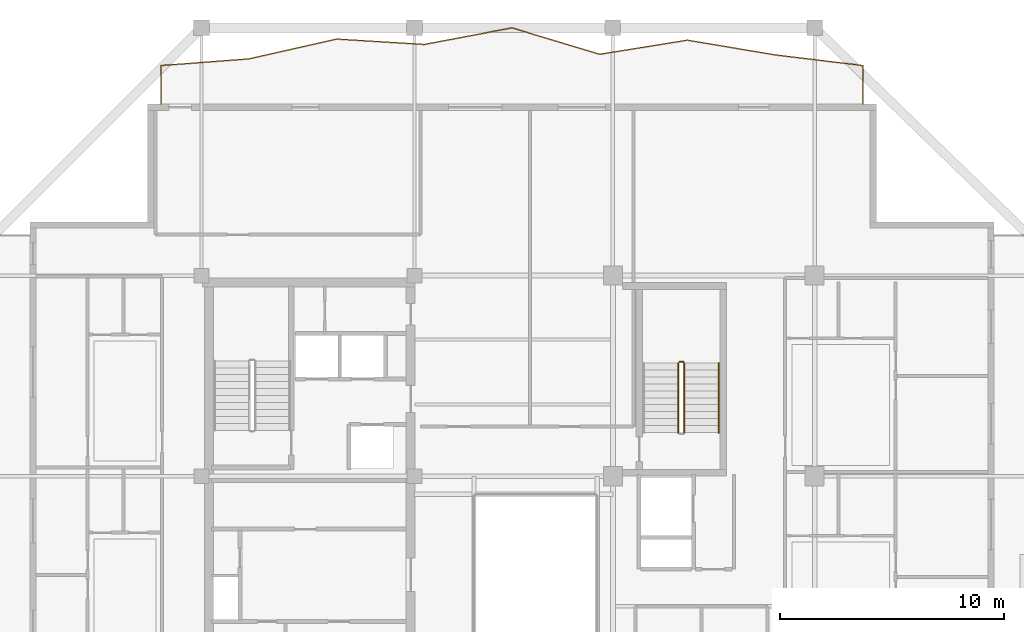
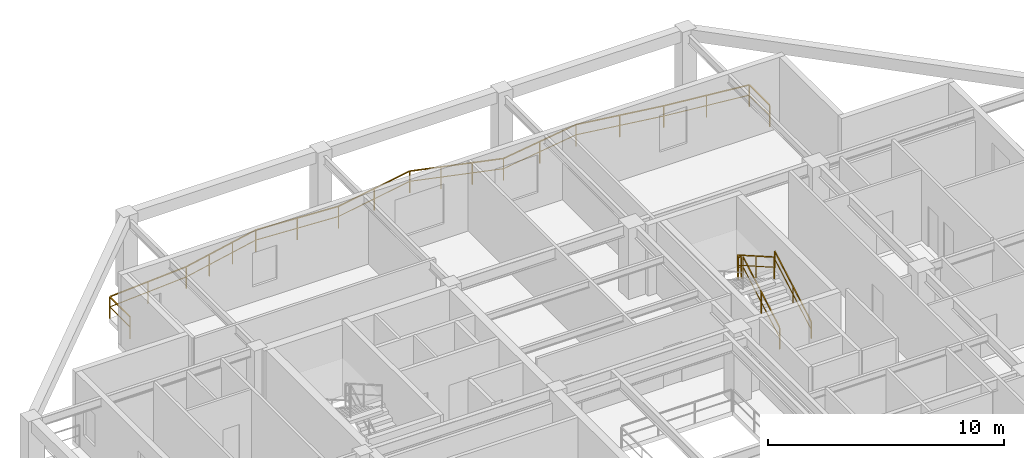
# One storey, part 12 of 13: 5 railings.
"""IFC4 building model written with IfcOpenShell, lengths in metres."""

from ifc_helpers import new_model, si_unit, direction, frame, origin, origin_2d, place, context, subcontext, project, spatial, rectangle, extrude, material, type_object, element, save


model = new_model("IFC4")

# Units and contexts
model_context = context("Model", 3, precision=1e-05, world=origin(), true_north=direction((0.0, 1.0)))
body_context = subcontext(model_context, "Body", "Model", "MODEL_VIEW")
ifc_project = project(units=[si_unit("LENGTHUNIT", "METRE"), si_unit("AREAUNIT", "SQUARE_METRE"), si_unit("VOLUMEUNIT", "CUBIC_METRE"), si_unit("PLANEANGLEUNIT", "RADIAN"), si_unit("MASSUNIT", "GRAM", prefix="KILO")], contexts=[model_context])

# Site, building, storey
site_placement = place(None, origin())
site = spatial("IfcSite", under=ifc_project, at=site_placement, CompositionType="ELEMENT")
building_placement = place(site_placement, origin())
building = spatial("IfcBuilding", under=site, at=building_placement, Name="Kundavana Baori Tower", CompositionType="ELEMENT")
storey_placement = place(building_placement, frame((0.0, 0.0, 229.699951171875)))
storey = spatial("IfcBuildingStorey", under=building, at=storey_placement, Name="L56", CompositionType="ELEMENT", Elevation=229.699951171875)

# Railings
ifc_material_1 = material(Name="Architectural Patinated Bronze Metalwork")
railing_type_1 = type_object("IfcRailingType", Name="RL-BAL-1150", PredefinedType="BALUSTRADE", material=ifc_material_1)
railing_1_placement = place(storey_placement, frame((13.64990234375, 49.60009765625, 0.0)))
element("IfcRailing", 1, at=railing_1_placement, inside=storey, type_object=railing_type_1, Name="L56 Loggia Balcony Balustrade N", PredefinedType="BALUSTRADE", context=body_context, shape_type="SweptSolid", body=[
    extrude(rectangle(XDim=0.048095703125, YDim=0.048095703125, at=origin_2d()), frame((0.0, 0.0, 1.1259765625), z_axis=(0.0, 1.0, 0.0), x_axis=(-1.0, 0.0, 0.0)), (0.0, 0.0, 1.0), 1.719970703125),
    extrude(rectangle(XDim=0.03125, YDim=0.03125, at=origin_2d()), frame((0.0, 0.0, 0.597900390625), z_axis=(0.0, 1.0, 0.0), x_axis=(-1.0, 0.0, 0.0)), (0.0, 0.0, 1.0), 1.719970703125),
    extrude(rectangle(XDim=0.048095703125, YDim=0.048095703125, at=origin_2d()), frame((0.0, 1.719970703125, 1.1259765625), z_axis=(0.997114210173, 0.075916084399, 0.0), x_axis=(-0.075916084399, 0.997114210173, 0.0)), (0.0, 0.0, 1.0), 3.92333984375),
    extrude(rectangle(XDim=0.03125, YDim=0.03125, at=origin_2d()), frame((0.0, 1.719970703125, 0.597900390625), z_axis=(0.997114210173, 0.075916084399, 0.0), x_axis=(-0.075916084399, 0.997114210173, 0.0)), (0.0, 0.0, 1.0), 3.92333984375),
    extrude(rectangle(XDim=0.048095703125, YDim=0.048095703125, at=origin_2d()), frame((3.912109375, 2.017822265625, 1.1259765625), z_axis=(0.975417798649, 0.220363604249, 0.0), x_axis=(-0.220363604249, 0.975417798649, 0.0)), (0.0, 0.0, 1.0), 4.01171875),
    extrude(rectangle(XDim=0.03125, YDim=0.03125, at=origin_2d()), frame((3.912109375, 2.017822265625, 0.597900390625), z_axis=(0.975417798649, 0.220363604249, 0.0), x_axis=(-0.220363604249, 0.975417798649, 0.0)), (0.0, 0.0, 1.0), 4.01171875),
    extrude(rectangle(XDim=0.048095703125, YDim=0.048095703125, at=origin_2d()), frame((7.8251953125, 2.90185546875, 1.1259765625), z_axis=(0.998124360554, -0.061218958409, 0.0), x_axis=(0.061218958409, 0.998124360554, 0.0)), (0.0, 0.0, 1.0), 3.920166015625),
    extrude(rectangle(XDim=0.03125, YDim=0.03125, at=origin_2d()), frame((7.8251953125, 2.90185546875, 0.597900390625), z_axis=(0.998124360554, -0.061218958409, 0.0), x_axis=(0.061218958409, 0.998124360554, 0.0)), (0.0, 0.0, 1.0), 3.920166015625),
    extrude(rectangle(XDim=0.048095703125, YDim=0.048095703125, at=origin_2d()), frame((11.738037109375, 2.661865234375, 1.1259765625), z_axis=(0.982666080479, 0.185384395987, 0.0), x_axis=(-0.185384395987, 0.982666080479, 0.0)), (0.0, 0.0, 1.0), 3.981201171875),
    extrude(rectangle(XDim=0.03125, YDim=0.03125, at=origin_2d()), frame((11.738037109375, 2.661865234375, 0.597900390625), z_axis=(0.982666080479, 0.185384395987, 0.0), x_axis=(-0.185384395987, 0.982666080479, 0.0)), (0.0, 0.0, 1.0), 3.981201171875),
    extrude(rectangle(XDim=0.048095703125, YDim=0.048095703125, at=origin_2d()), frame((15.650146484375, 3.39990234375, 1.1259765625), z_axis=(0.957613884145, -0.288054940754, 0.0), x_axis=(0.288054940754, 0.957613884145, 0.0)), (0.0, 0.0, 1.0), 4.0859375),
    extrude(rectangle(XDim=0.03125, YDim=0.03125, at=origin_2d()), frame((15.650146484375, 3.39990234375, 0.597900390625), z_axis=(0.957613884145, -0.288054940754, 0.0), x_axis=(0.288054940754, 0.957613884145, 0.0)), (0.0, 0.0, 1.0), 4.0859375),
    extrude(rectangle(XDim=0.048095703125, YDim=0.048095703125, at=origin_2d()), frame((19.56298828125, 2.222900390625, 1.1259765625), z_axis=(0.987236433937, 0.159261494117, 0.0), x_axis=(-0.159261494117, 0.987236433937, 0.0)), (0.0, 0.0, 1.0), 3.962646484375),
    extrude(rectangle(XDim=0.03125, YDim=0.03125, at=origin_2d()), frame((19.56298828125, 2.222900390625, 0.597900390625), z_axis=(0.987236433937, 0.159261494117, 0.0), x_axis=(-0.159261494117, 0.987236433937, 0.0)), (0.0, 0.0, 1.0), 3.962646484375),
    extrude(rectangle(XDim=0.048095703125, YDim=0.048095703125, at=origin_2d()), frame((23.47509765625, 2.85400390625, 1.1259765625), z_axis=(0.986146712574, -0.16587543905, 0.0), x_axis=(0.16587543905, 0.986146712574, 0.0)), (0.0, 0.0, 1.0), 3.968017578125),
    extrude(rectangle(XDim=0.03125, YDim=0.03125, at=origin_2d()), frame((23.47509765625, 2.85400390625, 0.597900390625), z_axis=(0.986146712574, -0.16587543905, 0.0), x_axis=(0.16587543905, 0.986146712574, 0.0)), (0.0, 0.0, 1.0), 3.968017578125),
    extrude(rectangle(XDim=0.048095703125, YDim=0.048095703125, at=origin_2d()), frame((27.38818359375, 2.19580078125, 1.1259765625), z_axis=(0.992683234767, -0.120747651786, 0.0), x_axis=(0.120747651786, 0.992683234767, 0.0)), (0.0, 0.0, 1.0), 3.940673828125),
    extrude(rectangle(XDim=0.03125, YDim=0.03125, at=origin_2d()), frame((27.38818359375, 2.19580078125, 0.597900390625), z_axis=(0.992683234767, -0.120747651786, 0.0), x_axis=(0.120747651786, 0.992683234767, 0.0)), (0.0, 0.0, 1.0), 3.940673828125),
    extrude(rectangle(XDim=0.048095703125, YDim=0.048095703125, at=origin_2d()), frame((31.300048828125, 1.719970703125, 1.1259765625), z_axis=(0.0, -1.0, 0.0), x_axis=(1.0, 0.0, 0.0)), (0.0, 0.0, 1.0), 1.719970703125),
    extrude(rectangle(XDim=0.03125, YDim=0.03125, at=origin_2d()), frame((31.300048828125, 1.719970703125, 0.597900390625), z_axis=(0.0, -1.0, 0.0), x_axis=(1.0, 0.0, 0.0)), (0.0, 0.0, 1.0), 1.719970703125),
    extrude(rectangle(XDim=0.0419921875, YDim=0.0419921875, at=origin_2d()), origin(), (0.0, 0.0, 1.0), 1.101806640625),
    extrude(rectangle(XDim=0.0419921875, YDim=0.0419921875, at=origin_2d()), frame((0.0, 1.719970703125, 0.0)), (0.0, 0.0, 1.0), 1.101806640625),
    extrude(rectangle(XDim=0.0419921875, YDim=0.0419921875, at=origin_2d()), frame((1.9560546875, 1.868896484375, 0.0)), (0.0, 0.0, 1.0), 1.101806640625),
    extrude(rectangle(XDim=0.0419921875, YDim=0.0419921875, at=origin_2d()), frame((3.912109375, 2.017822265625, 0.0)), (0.0, 0.0, 1.0), 1.101806640625),
    extrude(rectangle(XDim=0.0419921875, YDim=0.0419921875, at=origin_2d()), frame((5.216552734375, 2.3125, 0.0)), (0.0, 0.0, 1.0), 1.101806640625),
    extrude(rectangle(XDim=0.0419921875, YDim=0.0419921875, at=origin_2d()), frame((6.520751953125, 2.607177734375, 0.0)), (0.0, 0.0, 1.0), 1.101806640625),
    extrude(rectangle(XDim=0.0419921875, YDim=0.0419921875, at=origin_2d()), frame((7.8251953125, 2.90185546875, 0.0)), (0.0, 0.0, 1.0), 1.101806640625),
    extrude(rectangle(XDim=0.0419921875, YDim=0.0419921875, at=origin_2d()), frame((9.78173828125, 2.78173828125, 0.0)), (0.0, 0.0, 1.0), 1.101806640625),
    extrude(rectangle(XDim=0.0419921875, YDim=0.0419921875, at=origin_2d()), frame((11.738037109375, 2.661865234375, 0.0)), (0.0, 0.0, 1.0), 1.101806640625),
    extrude(rectangle(XDim=0.0419921875, YDim=0.0419921875, at=origin_2d()), frame((13.694091796875, 3.03076171875, 0.0)), (0.0, 0.0, 1.0), 1.101806640625),
    extrude(rectangle(XDim=0.0419921875, YDim=0.0419921875, at=origin_2d()), frame((15.650146484375, 3.39990234375, 0.0)), (0.0, 0.0, 1.0), 1.101806640625),
    extrude(rectangle(XDim=0.0419921875, YDim=0.0419921875, at=origin_2d()), frame((16.954345703125, 3.007568359375, 0.0)), (0.0, 0.0, 1.0), 1.101806640625),
    extrude(rectangle(XDim=0.0419921875, YDim=0.0419921875, at=origin_2d()), frame((18.2587890625, 2.615234375, 0.0)), (0.0, 0.0, 1.0), 1.101806640625),
    extrude(rectangle(XDim=0.0419921875, YDim=0.0419921875, at=origin_2d()), frame((19.56298828125, 2.222900390625, 0.0)), (0.0, 0.0, 1.0), 1.101806640625),
    extrude(rectangle(XDim=0.0419921875, YDim=0.0419921875, at=origin_2d()), frame((21.51904296875, 2.53857421875, 0.0)), (0.0, 0.0, 1.0), 1.101806640625),
    extrude(rectangle(XDim=0.0419921875, YDim=0.0419921875, at=origin_2d()), frame((23.47509765625, 2.85400390625, 0.0)), (0.0, 0.0, 1.0), 1.101806640625),
    extrude(rectangle(XDim=0.0419921875, YDim=0.0419921875, at=origin_2d()), frame((25.431640625, 2.52490234375, 0.0)), (0.0, 0.0, 1.0), 1.101806640625),
    extrude(rectangle(XDim=0.0419921875, YDim=0.0419921875, at=origin_2d()), frame((27.38818359375, 2.19580078125, 0.0)), (0.0, 0.0, 1.0), 1.101806640625),
    extrude(rectangle(XDim=0.0419921875, YDim=0.0419921875, at=origin_2d()), frame((29.34423828125, 1.9580078125, 0.0)), (0.0, 0.0, 1.0), 1.101806640625),
    extrude(rectangle(XDim=0.0419921875, YDim=0.0419921875, at=origin_2d()), frame((31.300048828125, 1.719970703125, 0.0)), (0.0, 0.0, 1.0), 1.101806640625),
    extrude(rectangle(XDim=0.0419921875, YDim=0.0419921875, at=origin_2d()), frame((31.300048828125, 0.0, 0.0)), (0.0, 0.0, 1.0), 1.101806640625),
])
ifc_material_2 = material(Name="Architectural Patinated Bronze Metalwork")
railing_type_2 = type_object("IfcRailingType", Name="RL-GRD-1150", PredefinedType="GUARDRAIL", material=ifc_material_2)
railing_2_placement = place(storey_placement, frame((36.97998046875, 34.949951171875, 0.17724609375)))
element("IfcRailing", 2, at=railing_2_placement, inside=storey, type_object=railing_type_2, Name="L56 ST3 stair guard 1", PredefinedType="GUARDRAIL", context=body_context, shape_type="SweptSolid", body=[
    extrude(rectangle(XDim=0.048095703125, YDim=0.048095703125, at=origin_2d()), frame((0.0, 0.0, 1.1259765625), z_axis=(0.0, 0.868095856688, 0.496396599103), x_axis=(-1.0, 0.0, 0.0)), (0.0, 0.0, 1.0), 3.571044921875),
    extrude(rectangle(XDim=0.03125, YDim=0.03125, at=origin_2d()), frame((0.0, 0.0, 0.597900390625), z_axis=(0.0, 0.868095856688, 0.496396599103), x_axis=(-1.0, 0.0, 0.0)), (0.0, 0.0, 1.0), 3.571044921875),
    extrude(rectangle(XDim=0.0419921875, YDim=0.0419921875, at=origin_2d()), origin(), (0.0, 0.0, 1.0), 1.101806640625),
    extrude(rectangle(XDim=0.0419921875, YDim=0.0419921875, at=origin_2d()), frame((0.0, 1.550048828125, 0.88623046875)), (0.0, 0.0, 1.0), 1.101806640625),
    extrude(rectangle(XDim=0.0419921875, YDim=0.0419921875, at=origin_2d()), frame((0.0, 3.10009765625, 1.772705078125)), (0.0, 0.0, 1.0), 1.101806640625),
])
railing_3_placement = place(storey_placement, frame((36.929931640625, 38.10009765625, 1.949951171875)))
element("IfcRailing", 3, at=railing_3_placement, inside=storey, type_object=railing_type_2, Name="L56 ST3 stair guard 2", PredefinedType="GUARDRAIL", context=body_context, shape_type="SweptSolid", body=[
    extrude(rectangle(XDim=0.048095703125, YDim=0.048095703125, at=origin_2d()), frame((0.0, 0.0, 1.1259765625), z_axis=(-1.0, 0.0, 0.0), x_axis=(0.0, -1.0, 0.0)), (0.0, 0.0, 1.0), 0.159912109375),
    extrude(rectangle(XDim=0.03125, YDim=0.03125, at=origin_2d()), frame((0.0, 0.0, 0.597900390625), z_axis=(-1.0, 0.0, 0.0), x_axis=(0.0, -1.0, 0.0)), (0.0, 0.0, 1.0), 0.159912109375),
    extrude(rectangle(XDim=0.0419921875, YDim=0.0419921875, at=origin_2d()), origin(), (0.0, 0.0, 1.0), 1.101806640625),
    extrude(rectangle(XDim=0.0419921875, YDim=0.0419921875, at=origin_2d()), frame((-0.159912109375, 0.0, 0.0)), (0.0, 0.0, 1.0), 1.101806640625),
])
railing_4_placement = place(storey_placement, frame((36.719970703125, 38.050048828125, 2.12744140625)))
element("IfcRailing", 4, at=railing_4_placement, inside=storey, type_object=railing_type_2, Name="L56 ST3 stair guard 3", PredefinedType="GUARDRAIL", context=body_context, shape_type="SweptSolid", body=[
    extrude(rectangle(XDim=0.048095703125, YDim=0.048095703125, at=origin_2d()), frame((0.0, 0.0, 1.1259765625), z_axis=(0.0, -0.868095856688, 0.496396599103), x_axis=(1.0, 0.0, 0.0)), (0.0, 0.0, 1.0), 3.571044921875),
    extrude(rectangle(XDim=0.03125, YDim=0.03125, at=origin_2d()), frame((0.0, 0.0, 0.597900390625), z_axis=(0.0, -0.868095856688, 0.496396599103), x_axis=(1.0, 0.0, 0.0)), (0.0, 0.0, 1.0), 3.571044921875),
    extrude(rectangle(XDim=0.0419921875, YDim=0.0419921875, at=origin_2d()), origin(), (0.0, 0.0, 1.0), 1.101806640625),
    extrude(rectangle(XDim=0.0419921875, YDim=0.0419921875, at=origin_2d()), frame((0.0, -1.550048828125, 0.88623046875)), (0.0, 0.0, 1.0), 1.101806640625),
    extrude(rectangle(XDim=0.0419921875, YDim=0.0419921875, at=origin_2d()), frame((0.0, -3.10009765625, 1.772705078125)), (0.0, 0.0, 1.0), 1.101806640625),
])
ifc_material_3 = material(Name="Architectural Patinated Bronze Metalwork")
railing_type_3 = type_object("IfcRailingType", Name="RL-HND-920", PredefinedType="HANDRAIL", material=ifc_material_3)
railing_5_placement = place(storey_placement, frame((38.530029296875, 34.949951171875, 0.17724609375)))
element("IfcRailing", 5, at=railing_5_placement, inside=storey, type_object=railing_type_3, Name="L56 ST3 stair handrail 1", PredefinedType="HANDRAIL", context=body_context, shape_type="SweptSolid", body=[
    extrude(rectangle(XDim=0.048095703125, YDim=0.048095703125, at=origin_2d()), frame((0.0, 0.0, 0.8759765625), z_axis=(0.0, 0.868095856688, 0.496396599103), x_axis=(-1.0, 0.0, 0.0)), (0.0, 0.0, 1.0), 3.571044921875),
    extrude(rectangle(XDim=0.03125, YDim=0.03125, at=origin_2d()), frame((0.0, 0.0, 0.468017578125), z_axis=(0.0, 0.868095856688, 0.496396599103), x_axis=(-1.0, 0.0, 0.0)), (0.0, 0.0, 1.0), 3.571044921875),
    extrude(rectangle(XDim=0.0419921875, YDim=0.0419921875, at=origin_2d()), origin(), (0.0, 0.0, 1.0), 0.851806640625),
    extrude(rectangle(XDim=0.0419921875, YDim=0.0419921875, at=origin_2d()), frame((0.0, 1.550048828125, 0.88623046875)), (0.0, 0.0, 1.0), 0.851806640625),
    extrude(rectangle(XDim=0.0419921875, YDim=0.0419921875, at=origin_2d()), frame((0.0, 3.10009765625, 1.772705078125)), (0.0, 0.0, 1.0), 0.851806640625),
])

save(model, "model.ifc")
